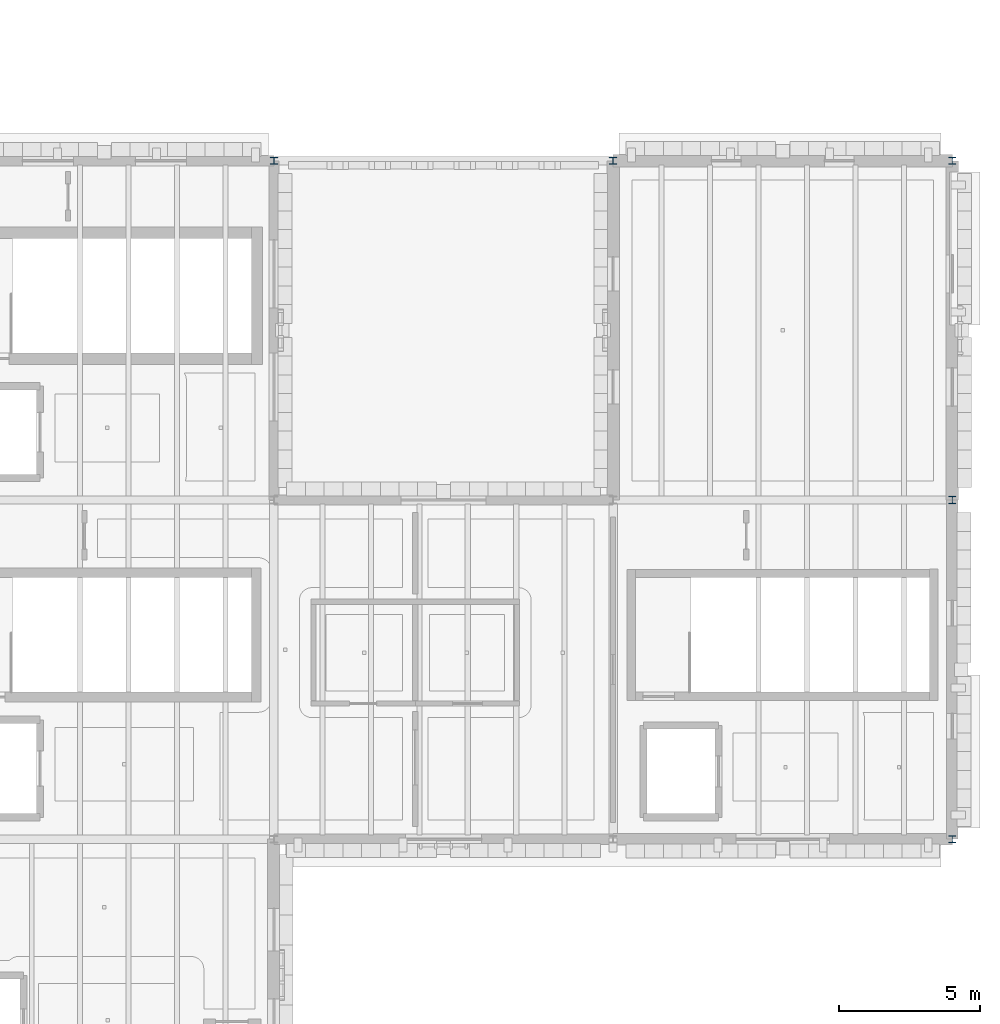
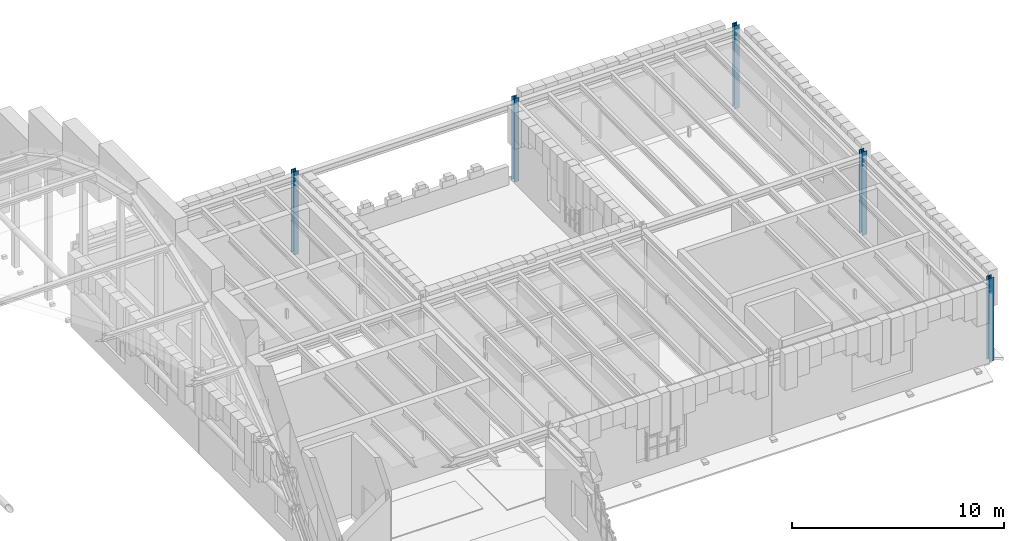
# One storey, part 4 of 35: 5 columns.
"""IFC4 building model written with IfcOpenShell, lengths in metres."""

from ifc_helpers import new_model, si_unit, direction, frame, origin, origin_2d, place, context, subcontext, project, spatial, i_section, extrude, material, material_profile, profile_set, type_object, element, save


model = new_model("IFC4")

# Units and contexts
model_context = context("Model", 3, precision=1e-05, world=origin(), true_north=direction((0.0, 1.0)))
body_context = subcontext(model_context, "Body", "Model", "MODEL_VIEW")
ifc_project = project(units=[si_unit("LENGTHUNIT", "METRE"), si_unit("AREAUNIT", "SQUARE_METRE"), si_unit("VOLUMEUNIT", "CUBIC_METRE"), si_unit("PLANEANGLEUNIT", "RADIAN"), si_unit("MASSUNIT", "GRAM", prefix="KILO")], contexts=[model_context])

# Site, building, storey
site_placement = place(None, origin())
site = spatial("IfcSite", under=ifc_project, at=site_placement, CompositionType="ELEMENT")
building_placement = place(site_placement, origin())
building = spatial("IfcBuilding", under=site, at=building_placement, Name="Zlatogorsky Bluff Art Gallery", CompositionType="ELEMENT")
storey_placement = place(building_placement, frame((0.0, 0.0, 23.39990234375)))
storey = spatial("IfcBuildingStorey", under=building, at=storey_placement, Name="L04", CompositionType="ELEMENT", Elevation=23.39990234375)

# Columns
ifc_material = material(Name="Steel S355", Category="steel")
ifc_material_profile = material_profile(ifc_material, i_section(OverallWidth=0.260009765625, OverallDepth=0.260009765625, WebThickness=0.010009765625, FlangeThickness=0.017578125, FilletRadius=0.02392578125, at=origin_2d()), Name="HEB 260")
ifc_profile_set = profile_set([ifc_material_profile], Name="Steel S355")
column_type = type_object("IfcColumnType", Name="Column CL-08 HEB 260", PredefinedType="COLUMN", material=ifc_profile_set)
for number, where, z_axis, x_axis, name in (
    (1, (132.0, 108.0, 0.0), (0.0, 0.0, 1.0), (1.0, 0.0, 0.0), "Column CL-08 L04 M11"),
    (2, (144.0, 108.0, 0.0), (0.0, 0.0, 1.0), (1.0, 0.0, 0.0), "Column CL-08 L04 N11"),
    (3, (156.0, 84.0, 0.0), (0.0, 0.0, 1.0), (1.0, 0.0, 0.0), "Column CL-08 L04 P9"),
    (4, (156.0, 96.0, 0.0), (0.0, 0.0, 1.0), (1.0, 0.0, 0.0), "Column CL-08 L04 P10"),
    (5, (156.0, 108.0, 0.0), (0.0, 0.0, 1.0), (1.0, 0.0, 0.0), "Column CL-08 L04 P11"),
):
    element("IfcColumn", number, at=place(storey_placement, frame(where, z_axis=z_axis, x_axis=x_axis)), inside=storey, type_object=column_type, Name=name, PredefinedType="COLUMN", context=body_context, shape_type="SweptSolid", body=[
        extrude(i_section(OverallWidth=0.260009765625, OverallDepth=0.260009765625, WebThickness=0.010009765625, FlangeThickness=0.017578125, FilletRadius=0.02392578125, at=origin_2d()), origin(), (0.0, 0.0, 1.0), 4.800048828125),
    ])

save(model, "model.ifc")
